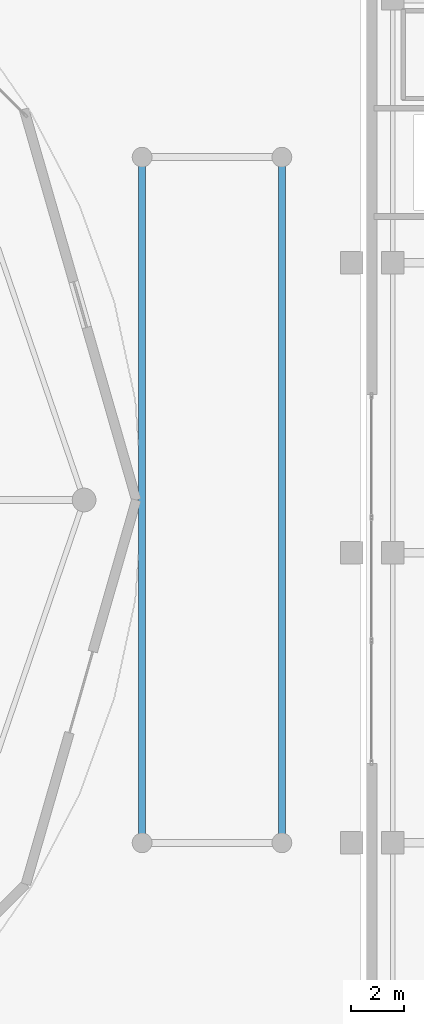
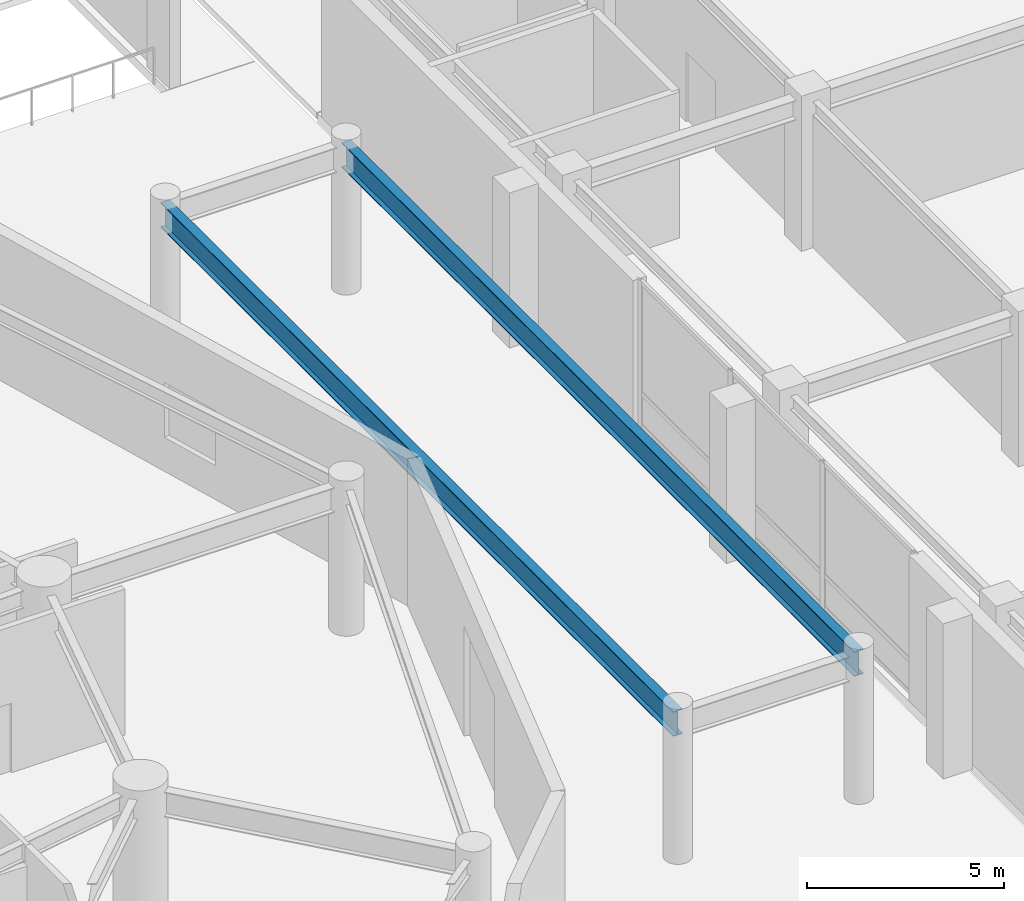
# One storey, part 13 of 35: 2 beams.
"""IFC4 building model written with IfcOpenShell, lengths in metres."""

from ifc_helpers import new_model, si_unit, direction, frame, origin, origin_2d, place, context, subcontext, project, spatial, i_section, extrude, material, material_profile, profile_set, type_object, element, save


model = new_model("IFC4")

# Units and contexts
model_context = context("Model", 3, precision=1e-05, world=origin(), true_north=direction((0.0, 1.0)))
body_context = subcontext(model_context, "Body", "Model", "MODEL_VIEW")
ifc_project = project(units=[si_unit("LENGTHUNIT", "METRE"), si_unit("AREAUNIT", "SQUARE_METRE"), si_unit("VOLUMEUNIT", "CUBIC_METRE"), si_unit("PLANEANGLEUNIT", "RADIAN"), si_unit("MASSUNIT", "GRAM", prefix="KILO")], contexts=[model_context])

# Site, building, storey
site_placement = place(None, origin())
site = spatial("IfcSite", under=ifc_project, at=site_placement, CompositionType="ELEMENT")
building_placement = place(site_placement, origin())
building = spatial("IfcBuilding", under=site, at=building_placement, Name="Kazevale Care Tower and Concert Hall", CompositionType="ELEMENT")
storey_placement = place(building_placement, origin())
storey = spatial("IfcBuildingStorey", under=building, at=storey_placement, Name="L00", CompositionType="ELEMENT", Elevation=0.0)

# Beams
ifc_material = material(Name="Steel ASTM A572 Gr 50", Category="steel")
ifc_material_profile = material_profile(ifc_material, i_section(OverallWidth=0.26806640625, OverallDepth=0.77001953125, WebThickness=0.015625, FlangeThickness=0.025390625, at=origin_2d()), Name="W760x196")
ifc_profile_set = profile_set([ifc_material_profile], Name="Steel ASTM A572 Gr 50")
beam_type = type_object("IfcBeamType", Name="Podium Primary Girder W760x196", PredefinedType="BEAM", material=ifc_profile_set)
for number, where, z_axis, x_axis, name in (
    (1, (92.800048828125, 25.0, 4.125), (0.0, 1.0, 0.0), (-1.0, 0.0, 0.0), "beam:L00:gbox:2"),
    (2, (87.5, 51.0, 4.125), (0.0, -1.0, 0.0), (1.0, 0.0, 0.0), "beam:L00:gbox:4"),
):
    element("IfcBeam", number, at=place(storey_placement, frame(where, z_axis=z_axis, x_axis=x_axis)), inside=storey, type_object=beam_type, Name=name, PredefinedType="BEAM", context=body_context, shape_type="SweptSolid", body=[
        extrude(i_section(OverallWidth=0.26806640625, OverallDepth=0.77001953125, WebThickness=0.015625, FlangeThickness=0.025390625, at=origin_2d()), origin(), (0.0, 0.0, 1.0), 26.0),
    ])

save(model, "model.ifc")
